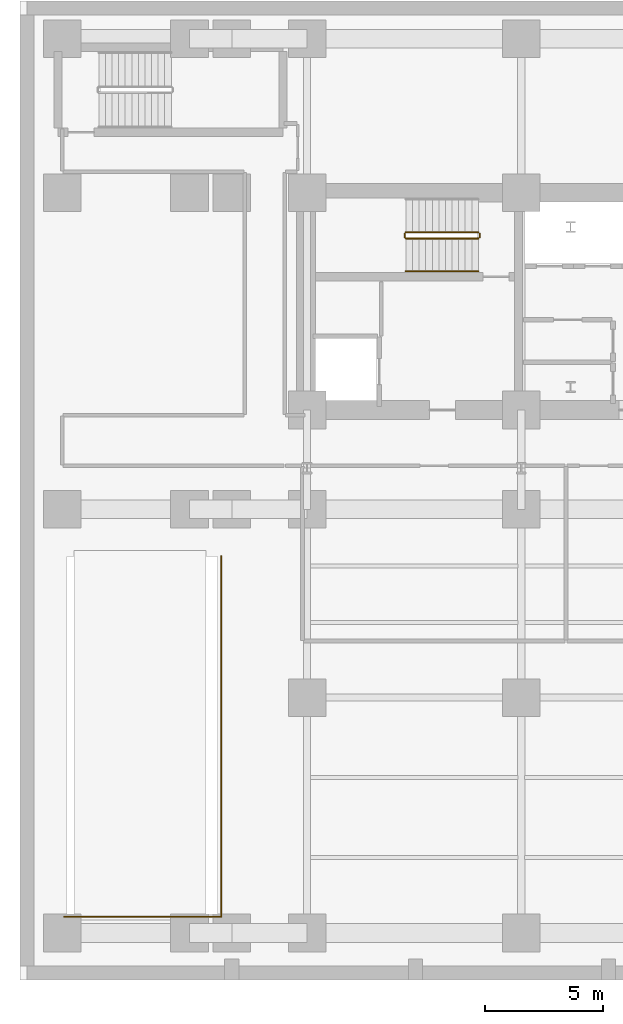
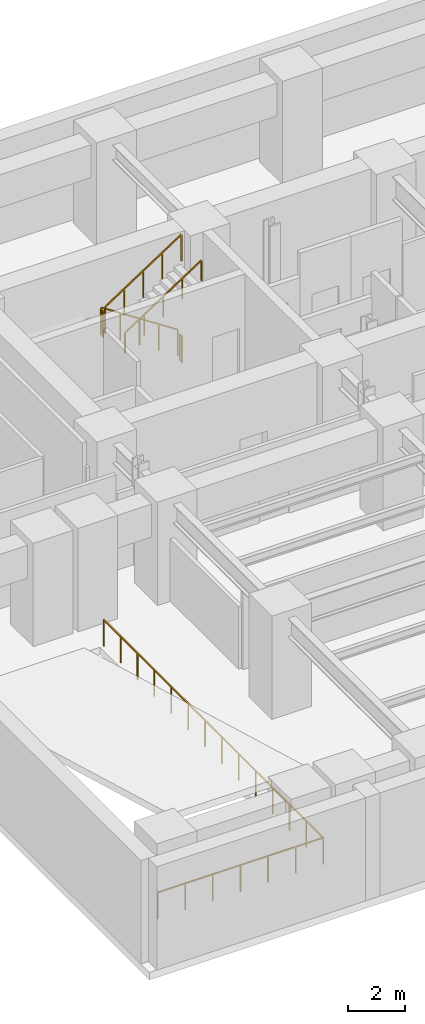
# One storey, part 6 of 9: 6 railings.
"""IFC4 building model written with IfcOpenShell, lengths in metres."""

import ifcopenshell
import ifcopenshell.guid

model = None  # the IFC model being written
_history = None  # IfcOwnerHistory: only IFC2X3 demands one
_inside = {}  # id of a spatial element -> (the spatial element, [elements in it])
_under = {}  # id of a project, library or spatial element -> (it, [spatial elements below it])
_declared = {}  # id of a project -> (the project, [libraries it declares])
_typed = {}  # id of a type object -> (the type object, [elements of that type])
_made_of = {}  # id of a material, layer set ... -> (it, [elements and type objects made of it])


def new_model(schema):
    """Start an empty IFC model of exactly this schema.

    Asked for "IFC4X3", IfcOpenShell would pick the latest addendum, in which some entities
    have other attributes; the version numbers below select the first issue.
    IFC2X3 requires an IfcOwnerHistory on every rooted entity: one is made here for all.
    """
    global model, _history
    if schema == "IFC4X3":
        model = ifcopenshell.file(schema_version=(4, 3, 0, 0))
    else:
        model = ifcopenshell.file(schema=schema)
    _inside.clear()
    _under.clear()
    _declared.clear()
    _typed.clear()
    _made_of.clear()
    _history = None
    if model.schema == "IFC2X3":
        org = make("IfcOrganization", Name="unknown")
        user = make(
            "IfcPersonAndOrganization",
            ThePerson=make("IfcPerson", FamilyName="unknown"),
            TheOrganization=org,
        )
        app = make(
            "IfcApplication",
            ApplicationDeveloper=org,
            Version="unknown",
            ApplicationFullName="unknown",
            ApplicationIdentifier="unknown",
        )
        _history = make(
            "IfcOwnerHistory",
            OwningUser=user,
            OwningApplication=app,
            ChangeAction="ADDED",
            CreationDate=0,
        )
    return model


def make(cls, **values):
    """One entity of the class cls with the attributes given. An attribute that is None is left unset."""
    return model.create_entity(
        cls, **{name: value for name, value in values.items() if value is not None}
    )


def rooted(cls, **values):
    """An entity with a GlobalId (a new one), such as an element, a storey or a relation."""
    return make(cls, GlobalId=ifcopenshell.guid.new(), OwnerHistory=_history, **values)


def si_unit(unit_type, name, prefix=None):
    """IfcSIUnit, for example si_unit("LENGTHUNIT", "METRE", prefix="MILLI")."""
    return make("IfcSIUnit", UnitType=unit_type, Prefix=prefix, Name=name)


def assignment(units):
    """IfcUnitAssignment: the units of a project."""
    return None if units is None else make("IfcUnitAssignment", Units=units)


def point(xyz):
    """IfcCartesianPoint."""
    return None if xyz is None else make("IfcCartesianPoint", Coordinates=xyz)


def direction(xyz):
    """IfcDirection."""
    return None if xyz is None else make("IfcDirection", DirectionRatios=xyz)


def frame(location, z_axis=None, x_axis=None):
    """IfcAxis2Placement3D, a coordinate frame: its origin and axes. An axis left out is left unset."""
    return make(
        "IfcAxis2Placement3D",
        Location=point(location),
        Axis=direction(z_axis),
        RefDirection=direction(x_axis),
    )


def frame_2d(location, x_axis=None):
    """IfcAxis2Placement2D, a coordinate frame in the plane: its origin and x axis."""
    return make(
        "IfcAxis2Placement2D", Location=point(location), RefDirection=direction(x_axis)
    )


def origin():
    """The frame at (0, 0, 0) with its axes left unset."""
    return frame((0.0, 0.0, 0.0))


def origin_2d():
    """The frame at (0, 0) in the plane with its x axis left unset."""
    return frame_2d((0.0, 0.0))


def place(relative_to, where):
    """IfcLocalPlacement: puts the frame where relative to a parent placement (None: the world)."""
    return make(
        "IfcLocalPlacement", PlacementRelTo=relative_to, RelativePlacement=where
    )


def context(
    kind, dimensions, precision=None, world=None, true_north=None, identifier=None
):
    """IfcGeometricRepresentationContext, for example the 3D "Model" context."""
    return make(
        "IfcGeometricRepresentationContext",
        ContextIdentifier=identifier,
        ContextType=kind,
        CoordinateSpaceDimension=dimensions,
        Precision=precision,
        WorldCoordinateSystem=world,
        TrueNorth=true_north,
    )


def subcontext(parent, identifier, kind, view, scale=None):
    """IfcGeometricRepresentationSubContext, for example "Body" below "Model"."""
    return make(
        "IfcGeometricRepresentationSubContext",
        ContextIdentifier=identifier,
        ContextType=kind,
        ParentContext=parent,
        TargetScale=scale,
        TargetView=view,
    )


def project(units=None, contexts=None):
    """IfcProject with its units and contexts."""
    return rooted(
        "IfcProject",
        Name="project",
        RepresentationContexts=contexts,
        UnitsInContext=assignment(units),
    )


def spatial(cls, under=None, at=None, **own):
    """A site, building, storey or space (cls), placed at a placement, below another one or the project."""
    s = rooted(cls, ObjectPlacement=at, **own)
    if under is not None:
        _under.setdefault(under.id(), (under, []))[1].append(s)
    return s


def profile(cls, at=None, kind="AREA", **sizes):
    """A parametric profile (cls). Its sizes go by their IFC names, for example OverallWidth=200.0."""
    return make(cls, ProfileType=kind, Position=at, **sizes)


def rectangle(**sizes):
    """IfcRectangleProfileDef."""
    return profile("IfcRectangleProfileDef", **sizes)


def extrude(swept, where, along, depth):
    """IfcExtrudedAreaSolid: the profile swept, set in the frame where, extruded along a direction by depth."""
    return make(
        "IfcExtrudedAreaSolid",
        SweptArea=swept,
        Position=where,
        ExtrudedDirection=direction(along),
        Depth=depth,
    )


def shape(context_of_items, identifier, shape_type, items):
    """IfcShapeRepresentation: the items that make up one representation, for example the "Body"."""
    return make(
        "IfcShapeRepresentation",
        ContextOfItems=context_of_items,
        RepresentationIdentifier=identifier,
        RepresentationType=shape_type,
        Items=items,
    )


def material(Name=None, Category=None):
    """IfcMaterial."""
    return make("IfcMaterial", Name=Name, Category=Category)


def made_of(thing, what):
    """Note that an element or type object is made of a material, layer set ...; save() writes the relation."""
    if what is not None:
        _made_of.setdefault(what.id(), (what, []))[1].append(thing)
    return thing


def type_object(cls, material=None, **own):
    """A type object (cls), such as IfcWallType, which elements share."""
    return made_of(rooted(cls, **own), material)


def element(
    cls,
    number,
    at=None,
    inside=None,
    cuts=None,
    type_object=None,
    material=None,
    context=None,
    identifier="Body",
    shape_type=None,
    held_by="IfcProductDefinitionShape",
    body=None,
    shapes=None,
    **own,
):
    """One element of the class cls, such as IfcWall. Its Tag is "e" and its number.

    at: its placement. inside: the storey or other place that contains it. cuts: it is an
    opening in that element (IfcRelVoidsElement). A single representation is given by context,
    identifier, shape_type and body (its items); several are given by shapes. held_by: the class
    of the entity that holds the representations. save() writes the other relations.
    """
    e = rooted(cls, Tag="e%d" % number, ObjectPlacement=at, **own)
    if body is not None:
        shapes = [shape(context, identifier, shape_type, body)]
    if shapes is not None:
        e.Representation = make(held_by, Representations=shapes)
    if inside is not None:
        _inside.setdefault(inside.id(), (inside, []))[1].append(e)
    if cuts is not None:
        rooted(
            "IfcRelVoidsElement", RelatingBuildingElement=cuts, RelatedOpeningElement=e
        )
    if type_object is not None:
        _typed.setdefault(type_object.id(), (type_object, []))[1].append(e)
    return made_of(e, material)


def aggregate(whole, parts):
    """IfcRelAggregates: a whole, such as a stair, and the parts it consists of."""
    return rooted("IfcRelAggregates", RelatingObject=whole, RelatedObjects=parts)


def save(model, path):
    """Write the relations noted so far, then the file.

    IfcRelAggregates (storeys below a building ...), IfcRelContainedInSpatialStructure (elements
    in a storey), IfcRelDefinesByType, IfcRelAssociatesMaterial and IfcRelDeclares: one each for
    every whole, place, type object, material and project.
    """
    for whole, parts in _under.values():
        aggregate(whole, parts)
    for where, things in _inside.values():
        rooted(
            "IfcRelContainedInSpatialStructure",
            RelatedElements=things,
            RelatingStructure=where,
        )
    for kind, things in _typed.values():
        rooted("IfcRelDefinesByType", RelatedObjects=things, RelatingType=kind)
    for what, things in _made_of.values():
        rooted("IfcRelAssociatesMaterial", RelatedObjects=things, RelatingMaterial=what)
    for by, libraries in _declared.values():
        rooted("IfcRelDeclares", RelatingContext=by, RelatedDefinitions=libraries)
    model.write(path)


model = new_model("IFC4")

# Units and contexts
model_context = context("Model", 3, precision=1e-05, world=origin(), true_north=direction((0.0, 1.0)))
body_context = subcontext(model_context, "Body", "Model", "MODEL_VIEW")
ifc_project = project(units=[si_unit("LENGTHUNIT", "METRE"), si_unit("AREAUNIT", "SQUARE_METRE"), si_unit("VOLUMEUNIT", "CUBIC_METRE"), si_unit("PLANEANGLEUNIT", "RADIAN"), si_unit("MASSUNIT", "GRAM", prefix="KILO")], contexts=[model_context])

# Site, building, storey
site_placement = place(None, origin())
site = spatial("IfcSite", under=ifc_project, at=site_placement, CompositionType="ELEMENT")
building_placement = place(site_placement, origin())
building = spatial("IfcBuilding", under=site, at=building_placement, Name="Zarnavel Station Tower", CompositionType="ELEMENT")
storey_placement = place(building_placement, frame((0.0, 0.0, -8.800048828125)))
storey = spatial("IfcBuildingStorey", under=building, at=storey_placement, Name="B02", CompositionType="ELEMENT", Elevation=-8.800048828125)

# Railings
ifc_material_1 = material(Name="Painted Steel S355J2 Balustrade", Category="steel")
railing_type_1 = type_object("IfcRailingType", Name="GR_INT_1150", PredefinedType="GUARDRAIL", material=ifc_material_1)
railing_1_placement = place(storey_placement, frame((19.47998046875, 35.3701171875, 0.183349609375)))
element("IfcRailing", 1, at=railing_1_placement, inside=storey, type_object=railing_type_1, Name="B02 ST1 stair guard 1", PredefinedType="GUARDRAIL", context=body_context, shape_type="SweptSolid", body=[
    extrude(rectangle(XDim=0.048095703125, YDim=0.048095703125, at=origin_2d()), frame((-0.001708984375, 0.0, 1.126953125), z_axis=(-0.836633000464, 0.0, 0.547763838287), x_axis=(0.0, -1.0, 0.0)), (0.0, 0.0, 1.0), 3.677490234375),
    extrude(rectangle(XDim=0.0419921875, YDim=0.0419921875, at=origin_2d()), origin(), (0.0, 0.0, 1.0), 1.101806640625),
    extrude(rectangle(XDim=0.0419921875, YDim=0.0419921875, at=origin_2d()), frame((-0.77001953125, 0.0, 0.504150390625)), (0.0, 0.0, 1.0), 1.101806640625),
    extrude(rectangle(XDim=0.0419921875, YDim=0.0419921875, at=origin_2d()), frame((-1.5400390625, 0.0, 1.00830078125)), (0.0, 0.0, 1.0), 1.101806640625),
    extrude(rectangle(XDim=0.0419921875, YDim=0.0419921875, at=origin_2d()), frame((-2.31005859375, 0.0, 1.512451171875)), (0.0, 0.0, 1.0), 1.101806640625),
    extrude(rectangle(XDim=0.0419921875, YDim=0.0419921875, at=origin_2d()), frame((-3.080078125, 0.0, 2.0166015625)), (0.0, 0.0, 1.0), 1.101806640625),
])
railing_2_placement = place(storey_placement, frame((16.35009765625, 35.320068359375, 2.199951171875)))
element("IfcRailing", 2, at=railing_2_placement, inside=storey, type_object=railing_type_1, Name="B02 ST1 stair guard 2", PredefinedType="GUARDRAIL", context=body_context, shape_type="SweptSolid", body=[
    extrude(rectangle(XDim=0.048095703125, YDim=0.048095703125, at=origin_2d()), frame((0.0, -0.001953125, 1.1259765625), z_axis=(0.0, -1.0, 0.0), x_axis=(1.0, 0.0, 0.0)), (0.0, 0.0, 1.0), 0.15625),
    extrude(rectangle(XDim=0.0419921875, YDim=0.0419921875, at=origin_2d()), origin(), (0.0, 0.0, 1.0), 1.101806640625),
    extrude(rectangle(XDim=0.0419921875, YDim=0.0419921875, at=origin_2d()), frame((0.0, -0.16015625, 0.0)), (0.0, 0.0, 1.0), 1.101806640625),
])
railing_3_placement = place(storey_placement, frame((16.39990234375, 35.110107421875, 2.38330078125)))
element("IfcRailing", 3, at=railing_3_placement, inside=storey, type_object=railing_type_1, Name="B02 ST1 stair guard 3", PredefinedType="GUARDRAIL", context=body_context, shape_type="SweptSolid", body=[
    extrude(rectangle(XDim=0.048095703125, YDim=0.048095703125, at=origin_2d()), frame((0.001708984375, 0.0, 1.126953125), z_axis=(0.836602609513, 0.0, 0.547810253423), x_axis=(0.0, 1.0, 0.0)), (0.0, 0.0, 1.0), 3.677734375),
    extrude(rectangle(XDim=0.0419921875, YDim=0.0419921875, at=origin_2d()), origin(), (0.0, 0.0, 1.0), 1.101806640625),
    extrude(rectangle(XDim=0.0419921875, YDim=0.0419921875, at=origin_2d()), frame((0.77001953125, 0.0, 0.504150390625)), (0.0, 0.0, 1.0), 1.101806640625),
    extrude(rectangle(XDim=0.0419921875, YDim=0.0419921875, at=origin_2d()), frame((1.5400390625, 0.0, 1.00830078125)), (0.0, 0.0, 1.0), 1.101806640625),
    extrude(rectangle(XDim=0.0419921875, YDim=0.0419921875, at=origin_2d()), frame((2.31005859375, 0.0, 1.5126953125)), (0.0, 0.0, 1.0), 1.101806640625),
    extrude(rectangle(XDim=0.0419921875, YDim=0.0419921875, at=origin_2d()), frame((3.080078125, 0.0, 2.016845703125)), (0.0, 0.0, 1.0), 1.101806640625),
])
railing_4_placement = place(storey_placement, frame((19.530029296875, 35.320068359375, 0.0)))
element("IfcRailing", 4, at=railing_4_placement, inside=storey, type_object=railing_type_1, Name="B02 ST1 stair guard 4", PredefinedType="GUARDRAIL", context=body_context, shape_type="SweptSolid", body=[
    extrude(rectangle(XDim=0.048095703125, YDim=0.048095703125, at=origin_2d()), frame((0.0, -0.001953125, 1.1259765625), z_axis=(0.0, -1.0, 0.0), x_axis=(1.0, 0.0, 0.0)), (0.0, 0.0, 1.0), 0.15625),
    extrude(rectangle(XDim=0.0419921875, YDim=0.0419921875, at=origin_2d()), origin(), (0.0, 0.0, 1.0), 1.101806640625),
    extrude(rectangle(XDim=0.0419921875, YDim=0.0419921875, at=origin_2d()), frame((0.0, -0.16015625, 0.0)), (0.0, 0.0, 1.0), 1.101806640625),
])
railing_5_placement = place(storey_placement, frame((1.8798828125, 6.280029296875, 0.0)))
element("IfcRailing", 5, at=railing_5_placement, inside=storey, type_object=railing_type_1, Name="B02 Vehicle Ramp Well Side Barrier", PredefinedType="GUARDRAIL", context=body_context, shape_type="SweptSolid", body=[
    extrude(rectangle(XDim=0.048095703125, YDim=0.048095703125, at=origin_2d()), frame((0.001953125, 0.0, 1.1259765625), z_axis=(1.0, 0.0, 0.0), x_axis=(0.0, 1.0, 0.0)), (0.0, 0.0, 1.0), 6.666259765625),
    extrude(rectangle(XDim=0.048095703125, YDim=0.048095703125, at=origin_2d()), frame((6.670166015625, 0.001953125, 1.1259765625), z_axis=(0.0, 1.0, 0.0), x_axis=(-1.0, 0.0, 0.0)), (0.0, 0.0, 1.0), 15.316162109375),
    extrude(rectangle(XDim=0.0419921875, YDim=0.0419921875, at=origin_2d()), origin(), (0.0, 0.0, 1.0), 1.101806640625),
    extrude(rectangle(XDim=0.0419921875, YDim=0.0419921875, at=origin_2d()), frame((1.11181640625, 0.0, 0.0)), (0.0, 0.0, 1.0), 1.101806640625),
    extrude(rectangle(XDim=0.0419921875, YDim=0.0419921875, at=origin_2d()), frame((2.223388671875, 0.0, 0.0)), (0.0, 0.0, 1.0), 1.101806640625),
    extrude(rectangle(XDim=0.0419921875, YDim=0.0419921875, at=origin_2d()), frame((3.3349609375, 0.0, 0.0)), (0.0, 0.0, 1.0), 1.101806640625),
    extrude(rectangle(XDim=0.0419921875, YDim=0.0419921875, at=origin_2d()), frame((4.44677734375, 0.0, 0.0)), (0.0, 0.0, 1.0), 1.101806640625),
    extrude(rectangle(XDim=0.0419921875, YDim=0.0419921875, at=origin_2d()), frame((5.55859375, 0.0, 0.0)), (0.0, 0.0, 1.0), 1.101806640625),
    extrude(rectangle(XDim=0.0419921875, YDim=0.0419921875, at=origin_2d()), frame((6.670166015625, 0.0, 0.0)), (0.0, 0.0, 1.0), 1.101806640625),
    extrude(rectangle(XDim=0.0419921875, YDim=0.0419921875, at=origin_2d()), frame((6.670166015625, 1.178466796875, 0.0)), (0.0, 0.0, 1.0), 1.101806640625),
    extrude(rectangle(XDim=0.0419921875, YDim=0.0419921875, at=origin_2d()), frame((6.670166015625, 2.35693359375, 0.0)), (0.0, 0.0, 1.0), 1.101806640625),
    extrude(rectangle(XDim=0.0419921875, YDim=0.0419921875, at=origin_2d()), frame((6.670166015625, 3.535400390625, 0.0)), (0.0, 0.0, 1.0), 1.101806640625),
    extrude(rectangle(XDim=0.0419921875, YDim=0.0419921875, at=origin_2d()), frame((6.670166015625, 4.7138671875, 0.0)), (0.0, 0.0, 1.0), 1.101806640625),
    extrude(rectangle(XDim=0.0419921875, YDim=0.0419921875, at=origin_2d()), frame((6.670166015625, 5.892333984375, 0.0)), (0.0, 0.0, 1.0), 1.101806640625),
    extrude(rectangle(XDim=0.0419921875, YDim=0.0419921875, at=origin_2d()), frame((6.670166015625, 7.07080078125, 0.0)), (0.0, 0.0, 1.0), 1.101806640625),
    extrude(rectangle(XDim=0.0419921875, YDim=0.0419921875, at=origin_2d()), frame((6.670166015625, 8.249267578125, 0.0)), (0.0, 0.0, 1.0), 1.101806640625),
    extrude(rectangle(XDim=0.0419921875, YDim=0.0419921875, at=origin_2d()), frame((6.670166015625, 9.427734375, 0.0)), (0.0, 0.0, 1.0), 1.101806640625),
    extrude(rectangle(XDim=0.0419921875, YDim=0.0419921875, at=origin_2d()), frame((6.670166015625, 10.606201171875, 0.0)), (0.0, 0.0, 1.0), 1.101806640625),
    extrude(rectangle(XDim=0.0419921875, YDim=0.0419921875, at=origin_2d()), frame((6.670166015625, 11.78466796875, 0.0)), (0.0, 0.0, 1.0), 1.101806640625),
    extrude(rectangle(XDim=0.0419921875, YDim=0.0419921875, at=origin_2d()), frame((6.670166015625, 12.963134765625, 0.0)), (0.0, 0.0, 1.0), 1.101806640625),
    extrude(rectangle(XDim=0.0419921875, YDim=0.0419921875, at=origin_2d()), frame((6.670166015625, 14.1416015625, 0.0)), (0.0, 0.0, 1.0), 1.101806640625),
    extrude(rectangle(XDim=0.0419921875, YDim=0.0419921875, at=origin_2d()), frame((6.670166015625, 15.320068359375, 0.0)), (0.0, 0.0, 1.0), 1.101806640625),
])
ifc_material_2 = material(Name="Brushed Stainless Steel S355J2 Handrail", Category="steel")
railing_type_2 = type_object("IfcRailingType", Name="HR_STAIR_900", PredefinedType="HANDRAIL", material=ifc_material_2)
railing_6_placement = place(storey_placement, frame((16.39990234375, 33.7099609375, 2.38330078125)))
element("IfcRailing", 6, at=railing_6_placement, inside=storey, type_object=railing_type_2, Name="B02 ST1 stair handrail 2", PredefinedType="HANDRAIL", context=body_context, shape_type="SweptSolid", body=[
    extrude(rectangle(XDim=0.048095703125, YDim=0.048095703125, at=origin_2d()), frame((0.001708984375, 0.0, 0.876953125), z_axis=(0.836602609513, 0.0, 0.547810253423), x_axis=(0.0, 1.0, 0.0)), (0.0, 0.0, 1.0), 3.677734375),
    extrude(rectangle(XDim=0.0419921875, YDim=0.0419921875, at=origin_2d()), origin(), (0.0, 0.0, 1.0), 0.851806640625),
    extrude(rectangle(XDim=0.0419921875, YDim=0.0419921875, at=origin_2d()), frame((0.77001953125, 0.0, 0.504150390625)), (0.0, 0.0, 1.0), 0.851806640625),
    extrude(rectangle(XDim=0.0419921875, YDim=0.0419921875, at=origin_2d()), frame((1.5400390625, 0.0, 1.00830078125)), (0.0, 0.0, 1.0), 0.851806640625),
    extrude(rectangle(XDim=0.0419921875, YDim=0.0419921875, at=origin_2d()), frame((2.31005859375, 0.0, 1.5126953125)), (0.0, 0.0, 1.0), 0.851806640625),
    extrude(rectangle(XDim=0.0419921875, YDim=0.0419921875, at=origin_2d()), frame((3.080078125, 0.0, 2.016845703125)), (0.0, 0.0, 1.0), 0.851806640625),
])

save(model, "model.ifc")
